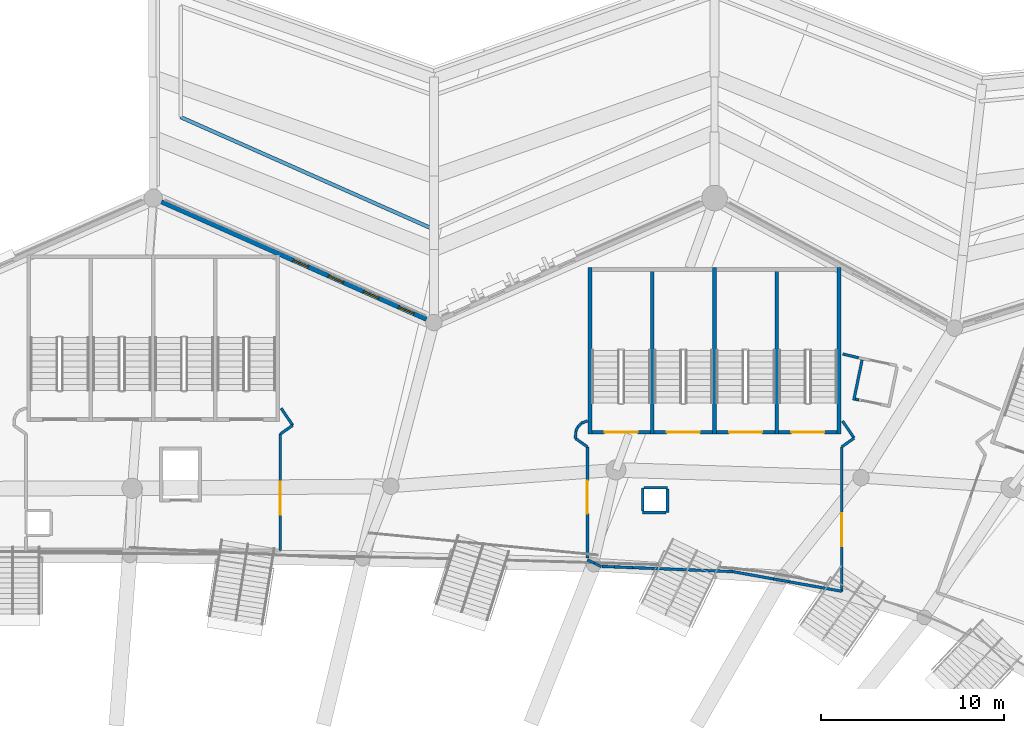
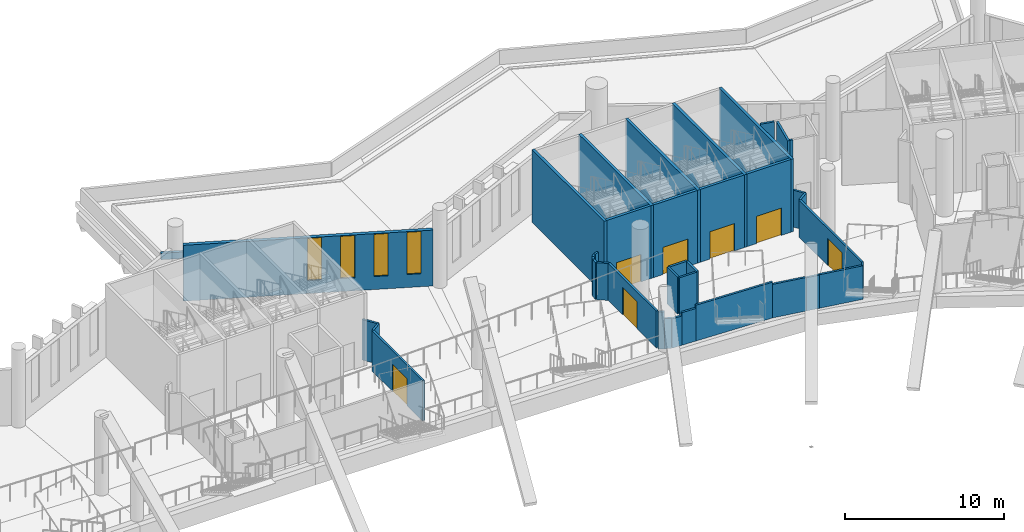
# One storey, part 75 of 173: 38 walls, 7 doors, 4 windows, 11 openings.
"""IFC4 building model written with IfcOpenShell, lengths in metres."""

from ifc_helpers import new_model, si_unit, direction, frame, frame_2d, origin, place, context, subcontext, project, spatial, rectangle, extrude, material, layer, layer_set, type_object, element, fill, save


model = new_model("IFC4")

# Units and contexts
model_context = context("Model", 3, precision=1e-05, world=origin(), true_north=direction((0.0, 1.0)))
body_context = subcontext(model_context, "Body", "Model", "MODEL_VIEW")
ifc_project = project(units=[si_unit("LENGTHUNIT", "METRE"), si_unit("AREAUNIT", "SQUARE_METRE"), si_unit("VOLUMEUNIT", "CUBIC_METRE"), si_unit("PLANEANGLEUNIT", "RADIAN"), si_unit("MASSUNIT", "GRAM", prefix="KILO")], contexts=[model_context])

# Site, building, storey
site_placement = place(None, origin())
site = spatial("IfcSite", under=ifc_project, at=site_placement, CompositionType="ELEMENT")
building_placement = place(site_placement, origin())
building = spatial("IfcBuilding", under=site, at=building_placement, Name="Meseta Stadium", CompositionType="ELEMENT")
storey_placement = place(building_placement, frame((0.0, 0.0, 18.0)))
storey = spatial("IfcBuildingStorey", under=building, at=storey_placement, Name="L03", CompositionType="ELEMENT", Elevation=18.0)

# Walls
ifc_material_1 = material(Name="Concrete C40/50", Category="concrete")
ifc_layer_1 = layer(ifc_material_1, 0.199951171875)
ifc_layer_set_1 = layer_set([ifc_layer_1], Name="Core divider wall 200")
wall_type_1 = type_object("IfcWallType", Name="Core divider wall 200", PredefinedType="SHEAR", material=ifc_layer_set_1)
for number, where, z_axis, x_axis, name in (
    (1, (41.7333984375, 101.60009765625, 0.0), (0.0, 0.0, 1.0), (0.0, -1.0, 0.0), "Core 09 L03 stair A divider wall"),
    (2, (34.933349609375, 101.60009765625, 0.0), (0.0, 0.0, 1.0), (0.0, -1.0, 0.0), "Core 09 L03 stair B divider wall"),
):
    element("IfcWall", number, at=place(storey_placement, frame(where, z_axis=z_axis, x_axis=x_axis)), inside=storey, type_object=wall_type_1, Name=name, PredefinedType="SHEAR", context=body_context, shape_type="SweptSolid", body=[
        extrude(rectangle(XDim=9.10009765625, YDim=0.199951171875, at=frame_2d((4.550048828125, 0.0))), origin(), (0.0, 0.0, 1.0), 5.60009765625),
    ])
ifc_material_2 = material(Name="Concrete C40/50", Category="concrete")
ifc_layer_2 = layer(ifc_material_2, 0.199951171875)
ifc_layer_set_2 = layer_set([ifc_layer_2], Name="Core shaft wall 200")
wall_type_2 = type_object("IfcWallType", Name="Core shaft wall 200", PredefinedType="SHEAR", material=ifc_layer_set_2)
for number, where, z_axis, x_axis, name in (
    (3, (45.13330078125, 101.60009765625, 0.0), (0.0, 0.0, 1.0), (0.0, -1.0, 0.0), "Core 09 L03 stair wall A-side"),
    (4, (38.333251953125, 101.60009765625, 0.0), (0.0, 0.0, 1.0), (0.0, -1.0, 0.0), "Core 09 L03 stair wall shared"),
    (5, (31.533203125, 101.60009765625, 0.0), (0.0, 0.0, 1.0), (0.0, -1.0, 0.0), "Core 09 L03 stair wall B-side"),
):
    element("IfcWall", number, at=place(storey_placement, frame(where, z_axis=z_axis, x_axis=x_axis)), inside=storey, type_object=wall_type_2, Name=name, PredefinedType="SHEAR", context=body_context, shape_type="SweptSolid", body=[
        extrude(rectangle(XDim=9.10009765625, YDim=0.199951171875, at=frame_2d((4.550048828125, 0.0))), origin(), (0.0, 0.0, 1.0), 5.60009765625),
    ])

# Wall, opening, door
wall_1_placement = place(storey_placement, frame((45.033203125, 92.60009765625, 0.0), z_axis=(0.0, 0.0, 1.0), x_axis=(-1.0, 0.0, 0.0)))
wall_1 = element("IfcWall", 6, at=wall_1_placement, inside=storey, type_object=wall_type_2, Name="Core 09 L03 stair A1 inner end wall", PredefinedType="SHEAR", context=body_context, shape_type="SweptSolid", body=[
    extrude(rectangle(XDim=3.199951171875, YDim=0.199951171875, at=frame_2d((1.60009765625, 0.0))), origin(), (0.0, 0.0, 1.0), 5.60009765625),
])
opening_1_placement = place(wall_1_placement, frame((0.699951171875, 0.0, 0.0)))
opening_1 = element("IfcOpeningElement", 7, at=opening_1_placement, cuts=wall_1, Name="Opening D1406", PredefinedType="OPENING", context=body_context, shape_type="SweptSolid", body=[
    extrude(rectangle(XDim=1.800048828125, YDim=2.10009765625, at=frame_2d((0.89990234375, 1.050048828125))), frame((0.0, 0.10986328125, 0.0), z_axis=(0.0, -1.0, 0.0), x_axis=(1.0, 0.0, 0.0)), (0.0, 0.0, 1.0), 0.219970703125),
])
ifc_material_3 = material(Name="Steel", Category="steel")
door_type_1 = type_object("IfcDoorType", Name="Stair door 1800x2100", OperationType="DOUBLE_DOOR_SINGLE_SWING", PredefinedType="DOOR", material=ifc_material_3)
door_1_placement = place(opening_1_placement, origin())
door_1 = element("IfcDoor", 8, at=door_1_placement, inside=storey, type_object=door_type_1, Name="Stair A1 door 09 L03", OperationType="DOUBLE_DOOR_SINGLE_SWING", OverallHeight=2.10009765625, OverallWidth=1.800048828125, PredefinedType="DOOR", context=body_context, shape_type="SweptSolid", body=[
    extrude(rectangle(XDim=1.800048828125, YDim=2.10009765625, at=frame_2d((0.89990234375, 1.050048828125))), frame((0.0, 0.02490234375, 0.0), z_axis=(0.0, -1.0, 0.0), x_axis=(1.0, 0.0, 0.0)), (0.0, 0.0, 1.0), 0.050048828125),
])
fill(opening_1, door_1)

wall_2_placement = place(storey_placement, frame((41.63330078125, 92.60009765625, 0.0), z_axis=(0.0, 0.0, 1.0), x_axis=(-1.0, 0.0, 0.0)))
wall_2 = element("IfcWall", 9, at=wall_2_placement, inside=storey, type_object=wall_type_2, Name="Core 09 L03 stair A2 inner end wall", PredefinedType="SHEAR", context=body_context, shape_type="SweptSolid", body=[
    extrude(rectangle(XDim=3.199951171875, YDim=0.199951171875, at=frame_2d((1.60009765625, 0.0))), origin(), (0.0, 0.0, 1.0), 5.60009765625),
])
opening_2_placement = place(wall_2_placement, frame((0.699951171875, 0.0, 0.0)))
opening_2 = element("IfcOpeningElement", 10, at=opening_2_placement, cuts=wall_2, Name="Opening D1405", PredefinedType="OPENING", context=body_context, shape_type="SweptSolid", body=[
    extrude(rectangle(XDim=1.800048828125, YDim=2.10009765625, at=frame_2d((0.89990234375, 1.050048828125))), frame((0.0, 0.10986328125, 0.0), z_axis=(0.0, -1.0, 0.0), x_axis=(1.0, 0.0, 0.0)), (0.0, 0.0, 1.0), 0.219970703125),
])
door_2_placement = place(opening_2_placement, origin())
door_2 = element("IfcDoor", 11, at=door_2_placement, inside=storey, type_object=door_type_1, Name="Stair A2 door 09 L03", OperationType="DOUBLE_DOOR_SINGLE_SWING", OverallHeight=2.10009765625, OverallWidth=1.800048828125, PredefinedType="DOOR", context=body_context, shape_type="SweptSolid", body=[
    extrude(rectangle(XDim=1.800048828125, YDim=2.10009765625, at=frame_2d((0.89990234375, 1.050048828125))), frame((0.0, 0.02490234375, 0.0), z_axis=(0.0, -1.0, 0.0), x_axis=(1.0, 0.0, 0.0)), (0.0, 0.0, 1.0), 0.050048828125),
])
fill(opening_2, door_2)

wall_3_placement = place(storey_placement, frame((38.2333984375, 92.60009765625, 0.0), z_axis=(0.0, 0.0, 1.0), x_axis=(-1.0, 0.0, 0.0)))
wall_3 = element("IfcWall", 12, at=wall_3_placement, inside=storey, type_object=wall_type_2, Name="Core 09 L03 stair B1 inner end wall", PredefinedType="SHEAR", context=body_context, shape_type="SweptSolid", body=[
    extrude(rectangle(XDim=3.2001953125, YDim=0.199951171875, at=frame_2d((1.60009765625, 0.0))), origin(), (0.0, 0.0, 1.0), 5.60009765625),
])
opening_3_placement = place(wall_3_placement, frame((0.699951171875, 0.0, 0.0)))
opening_3 = element("IfcOpeningElement", 13, at=opening_3_placement, cuts=wall_3, Name="Opening D1404", PredefinedType="OPENING", context=body_context, shape_type="SweptSolid", body=[
    extrude(rectangle(XDim=1.800048828125, YDim=2.10009765625, at=frame_2d((0.89990234375, 1.050048828125))), frame((0.0, 0.10986328125, 0.0), z_axis=(0.0, -1.0, 0.0), x_axis=(1.0, 0.0, 0.0)), (0.0, 0.0, 1.0), 0.219970703125),
])
door_3_placement = place(opening_3_placement, origin())
door_3 = element("IfcDoor", 14, at=door_3_placement, inside=storey, type_object=door_type_1, Name="Stair B1 door 09 L03", OperationType="DOUBLE_DOOR_SINGLE_SWING", OverallHeight=2.10009765625, OverallWidth=1.800048828125, PredefinedType="DOOR", context=body_context, shape_type="SweptSolid", body=[
    extrude(rectangle(XDim=1.800048828125, YDim=2.10009765625, at=frame_2d((0.89990234375, 1.050048828125))), frame((0.0, 0.02490234375, 0.0), z_axis=(0.0, -1.0, 0.0), x_axis=(1.0, 0.0, 0.0)), (0.0, 0.0, 1.0), 0.050048828125),
])
fill(opening_3, door_3)

wall_4_placement = place(storey_placement, frame((34.833251953125, 92.60009765625, 0.0), z_axis=(0.0, 0.0, 1.0), x_axis=(-1.0, 0.0, 0.0)))
wall_4 = element("IfcWall", 15, at=wall_4_placement, inside=storey, type_object=wall_type_2, Name="Core 09 L03 stair B2 inner end wall", PredefinedType="SHEAR", context=body_context, shape_type="SweptSolid", body=[
    extrude(rectangle(XDim=3.199951171875, YDim=0.199951171875, at=frame_2d((1.60009765625, 0.0))), origin(), (0.0, 0.0, 1.0), 5.60009765625),
])
opening_4_placement = place(wall_4_placement, frame((0.699951171875, 0.0, 0.0)))
opening_4 = element("IfcOpeningElement", 16, at=opening_4_placement, cuts=wall_4, Name="Opening D1403", PredefinedType="OPENING", context=body_context, shape_type="SweptSolid", body=[
    extrude(rectangle(XDim=1.800048828125, YDim=2.10009765625, at=frame_2d((0.89990234375, 1.050048828125))), frame((0.0, 0.10986328125, 0.0), z_axis=(0.0, -1.0, 0.0), x_axis=(1.0, 0.0, 0.0)), (0.0, 0.0, 1.0), 0.219970703125),
])
door_4_placement = place(opening_4_placement, origin())
door_4 = element("IfcDoor", 17, at=door_4_placement, inside=storey, type_object=door_type_1, Name="Stair B2 door 09 L03", OperationType="DOUBLE_DOOR_SINGLE_SWING", OverallHeight=2.10009765625, OverallWidth=1.800048828125, PredefinedType="DOOR", context=body_context, shape_type="SweptSolid", body=[
    extrude(rectangle(XDim=1.800048828125, YDim=2.10009765625, at=frame_2d((0.89990234375, 1.050048828125))), frame((0.0, 0.02490234375, 0.0), z_axis=(0.0, -1.0, 0.0), x_axis=(1.0, 0.0, 0.0)), (0.0, 0.0, 1.0), 0.050048828125),
])
fill(opening_4, door_4)

# Walls
ifc_material_4 = material(Name="Masonry blockwork", Category="masonry")
ifc_layer_3 = layer(ifc_material_4, 0.14990234375)
ifc_layer_set_3 = layer_set([ifc_layer_3], Name="Partition 150")
wall_type_3 = type_object("IfcWallType", Name="Partition 150", PredefinedType="PARTITIONING", material=ifc_layer_set_3)
wall_5_placement = place(storey_placement, frame((46.21337890625, 96.671875, 0.0), z_axis=(0.0, 0.0, 1.0), x_axis=(-0.972399542837, 0.233321943011, 0.0)))
element("IfcWall", 18, at=wall_5_placement, inside=storey, type_object=wall_type_3, Name="Partition L03 L03-cell07-1-0", PredefinedType="PARTITIONING", context=body_context, shape_type="SweptSolid", body=[
    extrude(rectangle(XDim=0.905029296875, YDim=0.14990234375, at=frame_2d((0.45263671875, 0.0))), origin(), (0.0, 0.0, 1.0), 5.60009765625),
])
wall_6_placement = place(storey_placement, frame((35.75830078125, 89.576171875, 0.0), z_axis=(0.0, 0.0, 1.0), x_axis=(-1.0, 0.0, 0.0)))
element("IfcWall", 19, at=wall_6_placement, inside=storey, type_object=wall_type_3, Name="Pressurisation shaft wall L03 core 09", PredefinedType="PARTITIONING", context=body_context, shape_type="SweptSolid", body=[
    extrude(rectangle(XDim=1.27490234375, YDim=0.14990234375, at=frame_2d((0.637451171875, 0.0))), origin(), (0.0, 0.0, 1.0), 2.843505859375),
])
for number, where, z_axis, x_axis, name in (
    (20, (34.408203125, 89.576171875, 0.0), (0.0, 0.0, 1.0), (0.0, -1.0, 0.0), "Pressurisation shaft wall L03 core 09"),
    (21, (34.408203125, 88.22607421875, 0.0), (0.0, 0.0, 1.0), (1.0, 0.0, 0.0), "Pressurisation shaft wall L03 core 09"),
    (22, (35.75830078125, 88.22607421875, 0.0), (0.0, 0.0, 1.0), (0.0, 1.0, 0.0), "Pressurisation shaft wall L03 core 09"),
):
    element("IfcWall", number, at=place(storey_placement, frame(where, z_axis=z_axis, x_axis=x_axis)), inside=storey, type_object=wall_type_3, Name=name, PredefinedType="PARTITIONING", context=body_context, shape_type="SweptSolid", body=[
        extrude(rectangle(XDim=1.275146484375, YDim=0.14990234375, at=frame_2d((0.6376953125, 0.0))), origin(), (0.0, 0.0, 1.0), 2.843505859375),
    ])
wall_7_placement = place(storey_placement, frame((31.394775390625, 93.228759765625, 0.0), z_axis=(0.0, 0.0, 1.0), x_axis=(-0.937757023355, -0.347292045903, 0.0)))
element("IfcWall", 23, at=wall_7_placement, inside=storey, type_object=wall_type_3, Name="Stair vestibule wall L03 core 09", PredefinedType="PARTITIONING", context=body_context, shape_type="SweptSolid", body=[
    extrude(rectangle(XDim=0.3564453125, YDim=0.14990234375, at=frame_2d((0.17822265625, 0.0))), origin(), (0.0, 0.0, 1.0), 2.843505859375),
])
wall_8_placement = place(storey_placement, frame((31.060546875, 93.10498046875, 0.0), z_axis=(0.0, 0.0, 1.0), x_axis=(-0.707534941396, -0.706678361564, 0.0)))
element("IfcWall", 24, at=wall_8_placement, inside=storey, type_object=wall_type_3, Name="Stair vestibule wall L03 core 09", PredefinedType="PARTITIONING", context=body_context, shape_type="SweptSolid", body=[
    extrude(rectangle(XDim=0.284912109375, YDim=0.14990234375, at=frame_2d((0.142578125, 0.0))), origin(), (0.0, 0.0, 1.0), 2.843505859375),
])
wall_9_placement = place(storey_placement, frame((30.85888671875, 92.903564453125, 0.0), z_axis=(0.0, 0.0, 1.0), x_axis=(-0.382275228123, -0.924048510611, 0.0)))
element("IfcWall", 25, at=wall_9_placement, inside=storey, type_object=wall_type_3, Name="Stair vestibule wall L03 core 09", PredefinedType="PARTITIONING", context=body_context, shape_type="SweptSolid", body=[
    extrude(rectangle(XDim=0.28173828125, YDim=0.14990234375, at=frame_2d((0.140869140625, 0.0))), origin(), (0.0, 0.0, 1.0), 2.843505859375),
])
wall_10_placement = place(storey_placement, frame((30.751220703125, 92.643310546875, 0.0), z_axis=(0.0, 0.0, 1.0), x_axis=(-0.039058121451, -0.999236940444, 0.0)))
element("IfcWall", 26, at=wall_10_placement, inside=storey, type_object=wall_type_3, Name="Stair vestibule wall L03 core 09", PredefinedType="PARTITIONING", context=body_context, shape_type="SweptSolid", body=[
    extrude(rectangle(XDim=0.375, YDim=0.14990234375, at=frame_2d((0.1875, 0.0))), origin(), (0.0, 0.0, 1.0), 2.843505859375),
])
wall_11_placement = place(storey_placement, frame((30.736572265625, 92.2685546875, 0.0), z_axis=(0.0, 0.0, 1.0), x_axis=(0.817400495506, -0.576069813431, 0.0)))
element("IfcWall", 27, at=wall_11_placement, inside=storey, type_object=wall_type_3, Name="Stair vestibule wall L03 core 09", PredefinedType="PARTITIONING", context=body_context, shape_type="SweptSolid", body=[
    extrude(rectangle(XDim=0.797119140625, YDim=0.14990234375, at=frame_2d((0.3984375, 0.0))), origin(), (0.0, 0.0, 1.0), 2.843505859375),
])

# Wall, opening, door
wall_12_placement = place(storey_placement, frame((31.38818359375, 91.809326171875, 0.0), z_axis=(0.0, 0.0, 1.0), x_axis=(-8.037293e-05, -0.99999999677, 0.0)))
wall_12 = element("IfcWall", 28, at=wall_12_placement, inside=storey, type_object=wall_type_3, Name="Stair vestibule wall L03 core 09", PredefinedType="PARTITIONING", context=body_context, shape_type="SweptSolid", body=[
    extrude(rectangle(XDim=6.0751953125, YDim=0.14990234375, at=frame_2d((3.03759765625, 0.0))), origin(), (0.0, 0.0, 1.0), 2.843505859375),
])
opening_5_placement = place(wall_12_placement, frame((1.85009765625, 0.0, 0.0)))
opening_5 = element("IfcOpeningElement", 29, at=opening_5_placement, cuts=wall_12, Name="Opening D1401", PredefinedType="OPENING", context=body_context, shape_type="SweptSolid", body=[
    extrude(rectangle(XDim=1.800048828125, YDim=2.10009765625, at=frame_2d((0.89990234375, 1.050048828125))), frame((0.0, 0.0849609375, 0.0), z_axis=(0.0, -1.0, 0.0), x_axis=(1.0, 0.0, 0.0)), (0.0, 0.0, 1.0), 0.169921875),
])
ifc_material_5 = material(Name="Steel", Category="steel")
door_type_2 = type_object("IfcDoorType", Name="Fire double door 1800x2100 EI2 60", OperationType="DOUBLE_DOOR_SINGLE_SWING", PredefinedType="DOOR", material=ifc_material_5)
door_5_placement = place(opening_5_placement, origin())
door_5 = element("IfcDoor", 30, at=door_5_placement, inside=storey, type_object=door_type_2, Name="Stair vestibule door L03 core 09", OperationType="DOUBLE_DOOR_SINGLE_SWING", OverallHeight=2.10009765625, OverallWidth=1.800048828125, PredefinedType="DOOR", context=body_context, shape_type="SweptSolid", body=[
    extrude(rectangle(XDim=1.800048828125, YDim=2.10009765625, at=frame_2d((0.89990234375, 1.050048828125))), frame((0.0, 0.02490234375, 0.0), z_axis=(0.0, -1.0, 0.0), x_axis=(1.0, 0.0, 0.0)), (0.0, 0.0, 1.0), 0.050048828125),
])
fill(opening_5, door_5)

# Walls
wall_13_placement = place(storey_placement, frame((32.183837890625, 85.281005859375, 0.0), z_axis=(0.0, 0.0, 1.0), x_axis=(0.999194762281, -0.040122649842, 0.0)))
element("IfcWall", 31, at=wall_13_placement, inside=storey, type_object=wall_type_3, Name="Stair vestibule wall L03 core 09", PredefinedType="PARTITIONING", context=body_context, shape_type="SweptSolid", body=[
    extrude(rectangle(XDim=0.693603515625, YDim=0.14990234375, at=frame_2d((0.3466796875, 0.0))), origin(), (0.0, 0.0, 1.0), 2.256591796875),
])
wall_14_placement = place(storey_placement, frame((32.876953125, 85.253173828125, 0.0), z_axis=(0.0, 0.0, 1.0), x_axis=(0.999197421749, -0.040056364915, 0.0)))
element("IfcWall", 32, at=wall_14_placement, inside=storey, type_object=wall_type_3, Name="Stair vestibule wall L03 core 09", PredefinedType="PARTITIONING", context=body_context, shape_type="SweptSolid", body=[
    extrude(rectangle(XDim=0.993408203125, YDim=0.14990234375, at=frame_2d((0.49658203125, 0.0))), origin(), (0.0, 0.0, 1.0), 2.506103515625),
])
wall_15_placement = place(storey_placement, frame((33.86962890625, 85.21337890625, 0.0), z_axis=(0.0, 0.0, 1.0), x_axis=(0.999200173436, -0.039987665678, 0.0)))
element("IfcWall", 33, at=wall_15_placement, inside=storey, type_object=wall_type_3, Name="Stair vestibule wall L03 core 09", PredefinedType="PARTITIONING", context=body_context, shape_type="SweptSolid", body=[
    extrude(rectangle(XDim=5.46435546875, YDim=0.14990234375, at=frame_2d((2.732177734375, 0.0))), origin(), (0.0, 0.0, 1.0), 2.755615234375),
])
wall_16_placement = place(storey_placement, frame((39.32958984375, 84.994873046875, 0.0), z_axis=(0.0, 0.0, 1.0), x_axis=(0.984135059847, -0.177420923174, 0.0)))
element("IfcWall", 34, at=wall_16_placement, inside=storey, type_object=wall_type_3, Name="Stair vestibule wall L03 core 09", PredefinedType="PARTITIONING", context=body_context, shape_type="SweptSolid", body=[
    extrude(rectangle(XDim=2.259521484375, YDim=0.14990234375, at=frame_2d((1.1298828125, 0.0))), origin(), (0.0, 0.0, 1.0), 2.581298828125),
])
wall_17_placement = place(storey_placement, frame((42.40869140625, 84.439697265625, 0.0), z_axis=(0.0, 0.0, 1.0), x_axis=(0.984120784208, -0.177500090396, 0.0)))
element("IfcWall", 35, at=wall_17_placement, inside=storey, type_object=wall_type_3, Name="Stair vestibule wall L03 core 09", PredefinedType="PARTITIONING", context=body_context, shape_type="SweptSolid", body=[
    extrude(rectangle(XDim=2.916015625, YDim=0.14990234375, at=frame_2d((1.4580078125, 0.0))), origin(), (0.0, 0.0, 1.0), 2.581298828125),
])

# Wall, opening, door
wall_18_placement = place(storey_placement, frame((45.2783203125, 83.922119140625, 0.0), z_axis=(0.0, 0.0, 1.0), x_axis=(6.1908005e-05, 0.999999998084, 0.0)))
wall_18 = element("IfcWall", 36, at=wall_18_placement, inside=storey, type_object=wall_type_3, Name="Stair vestibule wall L03 core 09", PredefinedType="PARTITIONING", context=body_context, shape_type="SweptSolid", body=[
    extrude(rectangle(XDim=7.88720703125, YDim=0.14990234375, at=frame_2d((3.943603515625, 0.0))), origin(), (0.0, 0.0, 1.0), 2.843505859375),
])
opening_6_placement = place(wall_18_placement, frame((2.449951171875, 0.0, 0.0)))
opening_6 = element("IfcOpeningElement", 37, at=opening_6_placement, cuts=wall_18, Name="Opening D1408", PredefinedType="OPENING", context=body_context, shape_type="SweptSolid", body=[
    extrude(rectangle(XDim=1.800048828125, YDim=2.10009765625, at=frame_2d((0.89990234375, 1.050048828125))), frame((0.0, 0.0849609375, 0.0), z_axis=(0.0, -1.0, 0.0), x_axis=(1.0, 0.0, 0.0)), (0.0, 0.0, 1.0), 0.169921875),
])
door_6_placement = place(opening_6_placement, origin())
door_6 = element("IfcDoor", 38, at=door_6_placement, inside=storey, type_object=door_type_2, Name="Stair vestibule door L03 core 09", OperationType="DOUBLE_DOOR_SINGLE_SWING", OverallHeight=2.10009765625, OverallWidth=1.800048828125, PredefinedType="DOOR", context=body_context, shape_type="SweptSolid", body=[
    extrude(rectangle(XDim=1.800048828125, YDim=2.10009765625, at=frame_2d((0.89990234375, 1.050048828125))), frame((0.0, 0.02490234375, 0.0), z_axis=(0.0, -1.0, 0.0), x_axis=(1.0, 0.0, 0.0)), (0.0, 0.0, 1.0), 0.050048828125),
])
fill(opening_6, door_6)

# Walls
wall_19_placement = place(storey_placement, frame((45.27880859375, 91.809326171875, 0.0), z_axis=(0.0, 0.0, 1.0), x_axis=(0.817057482717, 0.576556215764, 0.0)))
element("IfcWall", 39, at=wall_19_placement, inside=storey, type_object=wall_type_3, Name="Stair vestibule wall L03 core 09", PredefinedType="PARTITIONING", context=body_context, shape_type="SweptSolid", body=[
    extrude(rectangle(XDim=0.830322265625, YDim=0.14990234375, at=frame_2d((0.4150390625, 0.0))), origin(), (0.0, 0.0, 1.0), 2.843505859375),
])
wall_20_placement = place(storey_placement, frame((45.957275390625, 92.2880859375, 0.0), z_axis=(0.0, 0.0, 1.0), x_axis=(-0.562920067311, 0.826511341615, 0.0)))
element("IfcWall", 40, at=wall_20_placement, inside=storey, type_object=wall_type_3, Name="Stair vestibule wall L03 core 09", PredefinedType="PARTITIONING", context=body_context, shape_type="SweptSolid", body=[
    extrude(rectangle(XDim=1.127197265625, YDim=0.14990234375, at=frame_2d((0.5634765625, 0.0))), origin(), (0.0, 0.0, 1.0), 2.843505859375),
])
wall_21_placement = place(storey_placement, frame((31.385009765625, 85.638427734375, 0.0), z_axis=(0.0, 0.0, 1.0), x_axis=(0.900217444271, -0.435440642373, 0.0)))
element("IfcWall", 41, at=wall_21_placement, inside=storey, type_object=wall_type_3, Name="Stair vestibule wall L03 core 09", PredefinedType="PARTITIONING", context=body_context, shape_type="SweptSolid", body=[
    extrude(rectangle(XDim=0.42431640625, YDim=0.14990234375, at=frame_2d((0.212158203125, 0.0))), origin(), (0.0, 0.0, 1.0), 2.843505859375),
])
wall_22_placement = place(storey_placement, frame((31.76708984375, 85.45361328125, 0.0), z_axis=(0.0, 0.0, 1.0), x_axis=(0.899991899384, -0.435906619638, 0.0)))
element("IfcWall", 42, at=wall_22_placement, inside=storey, type_object=wall_type_3, Name="Stair vestibule wall L03 core 09", PredefinedType="PARTITIONING", context=body_context, shape_type="SweptSolid", body=[
    extrude(rectangle(XDim=0.424560546875, YDim=0.14990234375, at=frame_2d((0.21240234375, 0.0))), origin(), (0.0, 0.0, 1.0), 2.315673828125),
])
wall_23_placement = place(storey_placement, frame((41.55322265625, 84.593994140625, 0.0), z_axis=(0.0, 0.0, 1.0), x_axis=(0.984120583858, -0.177501201198, 0.0)))
element("IfcWall", 43, at=wall_23_placement, inside=storey, type_object=wall_type_3, Name="Stair vestibule wall L03 core 09", PredefinedType="PARTITIONING", context=body_context, shape_type="SweptSolid", body=[
    extrude(rectangle(XDim=0.869384765625, YDim=0.14990234375, at=frame_2d((0.4345703125, 0.0))), origin(), (0.0, 0.0, 1.0), 2.556396484375),
])

# Wall, opening, door
wall_24_placement = place(storey_placement, frame((14.61181640625, 86.155029296875, 0.0), z_axis=(0.0, 0.0, 1.0), x_axis=(0.0, 1.0, 0.0)))
wall_24 = element("IfcWall", 44, at=wall_24_placement, inside=storey, type_object=wall_type_3, Name="Stair vestibule wall L03 core 10", PredefinedType="PARTITIONING", context=body_context, shape_type="SweptSolid", body=[
    extrude(rectangle(XDim=6.354248046875, YDim=0.14990234375, at=frame_2d((3.17724609375, 0.0))), origin(), (0.0, 0.0, 1.0), 3.114990234375),
])
opening_7_placement = place(wall_24_placement, frame((1.949951171875, 0.0, 0.0)))
opening_7 = element("IfcOpeningElement", 45, at=opening_7_placement, cuts=wall_24, Name="Opening D1394", PredefinedType="OPENING", context=body_context, shape_type="SweptSolid", body=[
    extrude(rectangle(XDim=1.800048828125, YDim=2.10009765625, at=frame_2d((0.89990234375, 1.050048828125))), frame((0.0, 0.0849609375, 0.0), z_axis=(0.0, -1.0, 0.0), x_axis=(1.0, 0.0, 0.0)), (0.0, 0.0, 1.0), 0.169921875),
])
door_7_placement = place(opening_7_placement, origin())
door_7 = element("IfcDoor", 46, at=door_7_placement, inside=storey, type_object=door_type_2, Name="Stair vestibule door L03 core 10", OperationType="DOUBLE_DOOR_SINGLE_SWING", OverallHeight=2.10009765625, OverallWidth=1.800048828125, PredefinedType="DOOR", context=body_context, shape_type="SweptSolid", body=[
    extrude(rectangle(XDim=1.800048828125, YDim=2.10009765625, at=frame_2d((0.89990234375, 1.050048828125))), frame((0.0, 0.02490234375, 0.0), z_axis=(0.0, -1.0, 0.0), x_axis=(1.0, 0.0, 0.0)), (0.0, 0.0, 1.0), 0.050048828125),
])
fill(opening_7, door_7)

# Walls
wall_25_placement = place(storey_placement, frame((14.61181640625, 92.50927734375, 0.0), z_axis=(0.0, 0.0, 1.0), x_axis=(0.81774999294, 0.575573582652, 0.0)))
element("IfcWall", 47, at=wall_25_placement, inside=storey, type_object=wall_type_3, Name="Stair vestibule wall L03 core 10", PredefinedType="PARTITIONING", context=body_context, shape_type="SweptSolid", body=[
    extrude(rectangle(XDim=0.82958984375, YDim=0.14990234375, at=frame_2d((0.414794921875, 0.0))), origin(), (0.0, 0.0, 1.0), 3.114990234375),
])
wall_26_placement = place(storey_placement, frame((15.290283203125, 92.98681640625, 0.0), z_axis=(0.0, 0.0, 1.0), x_axis=(-0.562120553728, 0.827055308354, 0.0)))
element("IfcWall", 48, at=wall_26_placement, inside=storey, type_object=wall_type_3, Name="Stair vestibule wall L03 core 10", PredefinedType="PARTITIONING", context=body_context, shape_type="SweptSolid", body=[
    extrude(rectangle(XDim=1.1279296875, YDim=0.14990234375, at=frame_2d((0.56396484375, 0.0))), origin(), (0.0, 0.0, 1.0), 3.114990234375),
])
wall_27_placement = place(storey_placement, frame((46.390869140625, 96.558837890625, 0.0), z_axis=(0.0, 0.0, 1.0), x_axis=(-0.201704965263, -0.979446326752, 0.0)))
element("IfcWall", 49, at=wall_27_placement, inside=storey, type_object=wall_type_3, Name="Partition L03 L03-cell07-1-0 vestibule", PredefinedType="PARTITIONING", context=body_context, shape_type="SweptSolid", body=[
    extrude(rectangle(XDim=2.25, YDim=0.14990234375, at=frame_2d((1.125, 0.0))), origin(), (0.0, 0.0, 1.0), 5.60009765625),
])
wall_28_placement = place(storey_placement, frame((46.2216796875, 94.373046875, 0.0), z_axis=(0.0, 0.0, 1.0), x_axis=(-0.979534918634, 0.20127429835, 0.0)))
element("IfcWall", 50, at=wall_28_placement, inside=storey, type_object=wall_type_3, Name="Partition L03 L03-cell07-1-0 vestibule", PredefinedType="PARTITIONING", context=body_context, shape_type="SweptSolid", body=[
    extrude(rectangle(XDim=0.2001953125, YDim=0.14990234375, at=frame_2d((0.10009765625, 0.0))), origin(), (0.0, 0.0, 1.0), 5.60009765625),
])
ifc_material_6 = material(Name="Precast concrete C40/50", Category="concrete")
ifc_layer_4 = layer(ifc_material_6, 0.199951171875)
ifc_layer_set_4 = layer_set([ifc_layer_4], Name="Planter kerb 200")
wall_type_4 = type_object("IfcWallType", Name="Planter kerb 200", PredefinedType="USERDEFINED", material=ifc_layer_set_4)
wall_29_placement = place(storey_placement, frame((23.0, 103.686767578125, 0.0), z_axis=(0.0, 0.0, 1.0), x_axis=(-0.914138578333, 0.405401849532, 0.0)))
element("IfcWall", 51, at=wall_29_placement, inside=storey, type_object=wall_type_4, Name="Planter kerb 2.1.6", ObjectType="PLANTER", PredefinedType="USERDEFINED", context=body_context, shape_type="SweptSolid", body=[
    extrude(rectangle(XDim=15.132568359375, YDim=0.199951171875, at=frame_2d((7.56640625, 0.0))), origin(), (0.0, 0.0, 1.0), 0.5),
])

# Wall, openings, windows
ifc_material_7 = material(Name="White precast concrete C40/50", Category="concrete")
ifc_layer_5 = layer(ifc_material_7, 0.25)
ifc_layer_set_5 = layer_set([ifc_layer_5], Name="Pleated panel wall 250")
wall_type_5 = type_object("IfcWallType", Name="Pleated panel wall 250", PredefinedType="SOLIDWALL", material=ifc_layer_set_5)
wall_30_placement = place(storey_placement, frame((8.123291015625, 105.197509765625, 0.0), z_axis=(0.0, 0.0, 1.0), x_axis=(0.914138897099, -0.405401130748, 0.0)))
wall_30 = element("IfcWall", 52, at=wall_30_placement, inside=storey, type_object=wall_type_5, Name="Pleated facade panel L03 F17", PredefinedType="SOLIDWALL", context=body_context, shape_type="SweptSolid", body=[
    extrude(rectangle(XDim=15.824462890625, YDim=0.25, at=frame_2d((7.912109375, 0.0))), origin(), (0.0, 0.0, 1.0), 4.300048828125),
])
opening_8_placement = place(wall_30_placement, frame((14.174072265625, 0.0, 1.0)))
opening_8 = element("IfcOpeningElement", 53, at=opening_8_placement, cuts=wall_30, Name="Opening W120", PredefinedType="OPENING", context=body_context, shape_type="SweptSolid", body=[
    extrude(rectangle(XDim=0.89990234375, YDim=3.25, at=frame_2d((0.449951171875, 1.625))), frame((0.0, 0.135009765625, 0.0), z_axis=(0.0, -1.0, 0.0), x_axis=(1.0, 0.0, 0.0)), (0.0, 0.0, 1.0), 0.27001953125),
])
opening_9_placement = place(wall_30_placement, frame((12.073974609375, 0.0, 1.0)))
opening_9 = element("IfcOpeningElement", 54, at=opening_9_placement, cuts=wall_30, Name="Opening W119", PredefinedType="OPENING", context=body_context, shape_type="SweptSolid", body=[
    extrude(rectangle(XDim=0.89990234375, YDim=3.25, at=frame_2d((0.449951171875, 1.625))), frame((0.0, 0.135009765625, 0.0), z_axis=(0.0, -1.0, 0.0), x_axis=(1.0, 0.0, 0.0)), (0.0, 0.0, 1.0), 0.27001953125),
])
opening_10_placement = place(wall_30_placement, frame((9.973876953125, 0.0, 1.0)))
opening_10 = element("IfcOpeningElement", 55, at=opening_10_placement, cuts=wall_30, Name="Opening W118", PredefinedType="OPENING", context=body_context, shape_type="SweptSolid", body=[
    extrude(rectangle(XDim=0.89990234375, YDim=3.25, at=frame_2d((0.449951171875, 1.625))), frame((0.0, 0.135009765625, 0.0), z_axis=(0.0, -1.0, 0.0), x_axis=(1.0, 0.0, 0.0)), (0.0, 0.0, 1.0), 0.27001953125),
])
opening_11_placement = place(wall_30_placement, frame((7.8740234375, 0.0, 1.0)))
opening_11 = element("IfcOpeningElement", 56, at=opening_11_placement, cuts=wall_30, Name="Opening W117", PredefinedType="OPENING", context=body_context, shape_type="SweptSolid", body=[
    extrude(rectangle(XDim=0.89990234375, YDim=3.25, at=frame_2d((0.449951171875, 1.625))), frame((0.0, 0.135009765625, 0.0), z_axis=(0.0, -1.0, 0.0), x_axis=(1.0, 0.0, 0.0)), (0.0, 0.0, 1.0), 0.27001953125),
])
ifc_material_8 = material(Name="Aluminium", Category="aluminium")
window_type = type_object("IfcWindowType", Name="Slot window 900x3250", PartitioningType="SINGLE_PANEL", PredefinedType="WINDOW", material=ifc_material_8)
window_1_placement = place(opening_8_placement, origin())
window_1 = element("IfcWindow", 57, at=window_1_placement, inside=storey, type_object=window_type, Name="Slot window L03 F17.1", OverallHeight=3.25, OverallWidth=0.89990234375, PartitioningType="SINGLE_PANEL", PredefinedType="WINDOW", context=body_context, shape_type="SweptSolid", body=[
    extrude(rectangle(XDim=0.89990234375, YDim=3.25, at=frame_2d((0.449951171875, 1.625))), frame((0.0, 0.030029296875, 0.0), z_axis=(0.0, -1.0, 0.0), x_axis=(1.0, 0.0, 0.0)), (0.0, 0.0, 1.0), 0.06005859375),
])
fill(opening_8, window_1)
window_2_placement = place(opening_9_placement, origin())
window_2 = element("IfcWindow", 58, at=window_2_placement, inside=storey, type_object=window_type, Name="Slot window L03 F17.2", OverallHeight=3.25, OverallWidth=0.89990234375, PartitioningType="SINGLE_PANEL", PredefinedType="WINDOW", context=body_context, shape_type="SweptSolid", body=[
    extrude(rectangle(XDim=0.89990234375, YDim=3.25, at=frame_2d((0.449951171875, 1.625))), frame((0.0, 0.030029296875, 0.0), z_axis=(0.0, -1.0, 0.0), x_axis=(1.0, 0.0, 0.0)), (0.0, 0.0, 1.0), 0.06005859375),
])
fill(opening_9, window_2)
window_3_placement = place(opening_10_placement, origin())
window_3 = element("IfcWindow", 59, at=window_3_placement, inside=storey, type_object=window_type, Name="Slot window L03 F17.3", OverallHeight=3.25, OverallWidth=0.89990234375, PartitioningType="SINGLE_PANEL", PredefinedType="WINDOW", context=body_context, shape_type="SweptSolid", body=[
    extrude(rectangle(XDim=0.89990234375, YDim=3.25, at=frame_2d((0.449951171875, 1.625))), frame((0.0, 0.030029296875, 0.0), z_axis=(0.0, -1.0, 0.0), x_axis=(1.0, 0.0, 0.0)), (0.0, 0.0, 1.0), 0.06005859375),
])
fill(opening_10, window_3)
window_4_placement = place(opening_11_placement, origin())
window_4 = element("IfcWindow", 60, at=window_4_placement, inside=storey, type_object=window_type, Name="Slot window L03 F17.4", OverallHeight=3.25, OverallWidth=0.89990234375, PartitioningType="SINGLE_PANEL", PredefinedType="WINDOW", context=body_context, shape_type="SweptSolid", body=[
    extrude(rectangle(XDim=0.89990234375, YDim=3.25, at=frame_2d((0.449951171875, 1.625))), frame((0.0, 0.030029296875, 0.0), z_axis=(0.0, -1.0, 0.0), x_axis=(1.0, 0.0, 0.0)), (0.0, 0.0, 1.0), 0.06005859375),
])
fill(opening_11, window_4)

save(model, "model.ifc")
